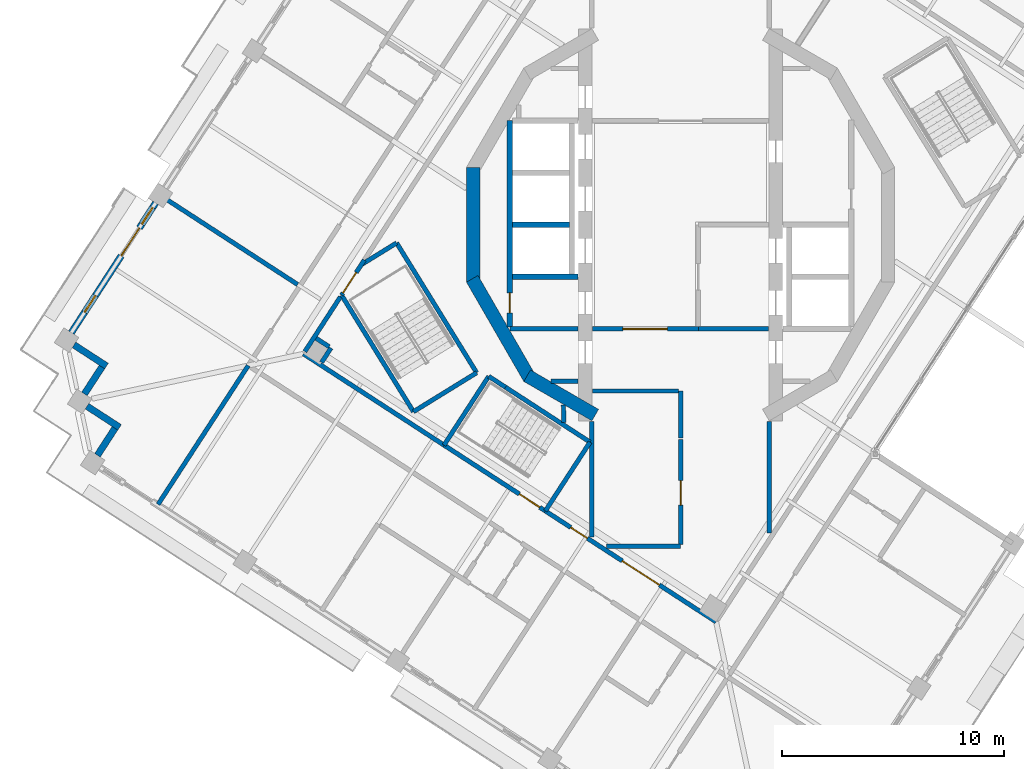
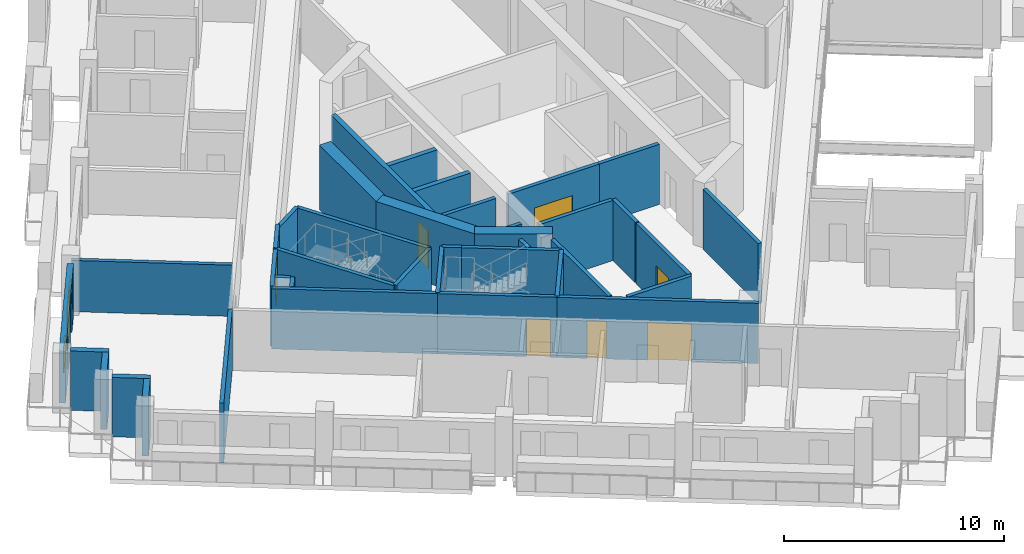
# One storey, part 6 of 17: 39 walls, 8 doors, 2 windows, 10 openings.
"""IFC4 building model written with IfcOpenShell, lengths in metres."""

from ifc_helpers import new_model, si_unit, direction, frame, frame_2d, origin, place, context, subcontext, project, spatial, rectangle, extrude, material, layer, layer_set, type_object, element, fill, save


model = new_model("IFC4")

# Units and contexts
model_context = context("Model", 3, precision=1e-05, world=origin(), true_north=direction((0.0, 1.0)))
body_context = subcontext(model_context, "Body", "Model", "MODEL_VIEW")
ifc_project = project(units=[si_unit("LENGTHUNIT", "METRE"), si_unit("AREAUNIT", "SQUARE_METRE"), si_unit("VOLUMEUNIT", "CUBIC_METRE"), si_unit("PLANEANGLEUNIT", "RADIAN"), si_unit("MASSUNIT", "GRAM", prefix="KILO")], contexts=[model_context])

# Site, building, storey
site_placement = place(None, origin())
site = spatial("IfcSite", under=ifc_project, at=site_placement, CompositionType="ELEMENT")
building_placement = place(site_placement, origin())
building = spatial("IfcBuilding", under=site, at=building_placement, Name="Cantera Rosa Tower", CompositionType="ELEMENT")
storey_placement = place(building_placement, frame((0.0, 0.0, 268.5)))
storey = spatial("IfcBuildingStorey", under=building, at=storey_placement, Name="L60", CompositionType="ELEMENT", Elevation=268.5)

# Walls
ifc_material_1 = material(Name="Gypsum board partition")
ifc_layer_1 = layer(ifc_material_1, 0.199951171875)
ifc_layer_set_1 = layer_set([ifc_layer_1], Name="CORRIDOR WALL 200 H3350")
wall_type_1 = type_object("IfcWallType", Name="CORRIDOR WALL 200 H3350", PredefinedType="PARTITIONING", material=ifc_layer_set_1)
wall_1_placement = place(storey_placement, frame((-17.015869140625, -5.82177734375, 0.0), z_axis=(0.0, 0.0, 1.0), x_axis=(0.838672854678, -0.544635513739, 0.0)))
element("IfcWall", 1, at=wall_1_placement, inside=storey, type_object=wall_type_1, Name="CORRIDOR WALL L60-005", PredefinedType="PARTITIONING", context=body_context, shape_type="SweptSolid", body=[
    extrude(rectangle(XDim=7.56494140625, YDim=0.199951171875, at=frame_2d((3.782470703125, 0.0))), origin(), (0.0, 0.0, 1.0), 3.35009765625),
])
wall_2_placement = place(storey_placement, frame((-15.349853515625, -3.256103515625, 0.0), z_axis=(0.0, 0.0, 1.0), x_axis=(-0.544576607641, -0.838711105453, 0.0)))
element("IfcWall", 2, at=wall_2_placement, inside=storey, type_object=wall_type_1, Name="CORRIDOR WALL L60-009", PredefinedType="PARTITIONING", context=body_context, shape_type="SweptSolid", body=[
    extrude(rectangle(XDim=2.939208984375, YDim=0.199951171875, at=frame_2d((1.4697265625, 0.0))), origin(), (0.0, 0.0, 1.0), 3.35009765625),
])

# Wall, openings, doors
wall_3_placement = place(storey_placement, frame((-6.1005859375, -12.91015625, 0.0), z_axis=(0.0, 0.0, 1.0), x_axis=(0.838671883824, -0.544637008734, 0.0)))
wall_3 = element("IfcWall", 3, at=wall_3_placement, inside=storey, type_object=wall_type_1, Name="CORRIDOR WALL L60-038", PredefinedType="PARTITIONING", context=body_context, shape_type="SweptSolid", body=[
    extrude(rectangle(XDim=9.184814453125, YDim=0.199951171875, at=frame_2d((4.59228515625, 0.0))), origin(), (0.0, 0.0, 1.0), 3.35009765625),
])
opening_1_placement = place(wall_3_placement, frame((1.36572265625, 0.0, 0.0)))
opening_1 = element("IfcOpeningElement", 4, at=opening_1_placement, cuts=wall_3, Name="Opening L60-006", PredefinedType="OPENING", context=body_context, shape_type="SweptSolid", body=[
    extrude(rectangle(XDim=0.89990234375, YDim=2.10009765625, at=frame_2d((0.449951171875, 1.050048828125))), frame((0.0, 0.10986328125, 0.0), z_axis=(0.0, -1.0, 0.0), x_axis=(1.0, 0.0, 0.0)), (0.0, 0.0, 1.0), 0.219970703125),
])
opening_2_placement = place(wall_3_placement, frame((4.135009765625, 0.0, 0.0)))
opening_2 = element("IfcOpeningElement", 5, at=opening_2_placement, cuts=wall_3, Name="Opening L60-010", PredefinedType="OPENING", context=body_context, shape_type="SweptSolid", body=[
    extrude(rectangle(XDim=2.0, YDim=2.10009765625, at=frame_2d((1.0, 1.050048828125))), frame((0.0, 0.10986328125, 0.0), z_axis=(0.0, -1.0, 0.0), x_axis=(1.0, 0.0, 0.0)), (0.0, 0.0, 1.0), 0.219970703125),
])
ifc_material_2 = material(Name="Steel S355J2 (EN 10025-2)", Category="steel")
door_type_1 = type_object("IfcDoorType", Name="LOBBY SCREEN DOOR 2000x2100", OperationType="NOTDEFINED", PredefinedType="DOOR", material=ifc_material_2)
door_1_placement = place(opening_2_placement, origin())
door_1 = element("IfcDoor", 6, at=door_1_placement, inside=storey, type_object=door_type_1, Name="DOOR L60-010", OperationType="NOTDEFINED", OverallHeight=2.10009765625, OverallWidth=2.0, PredefinedType="DOOR", context=body_context, shape_type="SweptSolid", body=[
    extrude(rectangle(XDim=2.0, YDim=2.10009765625, at=frame_2d((1.0, 1.050048828125))), frame((0.0, 0.02490234375, 0.0), z_axis=(0.0, -1.0, 0.0), x_axis=(1.0, 0.0, 0.0)), (0.0, 0.0, 1.0), 0.050048828125),
])
fill(opening_2, door_1)
ifc_material_3 = material(Name="Timber door leaf", Category="wood")
door_type_2 = type_object("IfcDoorType", Name="SERVICE DOOR 900x2100", OperationType="NOTDEFINED", PredefinedType="DOOR", material=ifc_material_3)
door_2_placement = place(opening_1_placement, origin())
door_2 = element("IfcDoor", 7, at=door_2_placement, inside=storey, type_object=door_type_2, Name="DOOR L60-006", OperationType="NOTDEFINED", OverallHeight=2.10009765625, OverallWidth=0.89990234375, PredefinedType="DOOR", context=body_context, shape_type="SweptSolid", body=[
    extrude(rectangle(XDim=0.89990234375, YDim=2.10009765625, at=frame_2d((0.449951171875, 1.050048828125))), frame((0.0, 0.02490234375, 0.0), z_axis=(0.0, -1.0, 0.0), x_axis=(1.0, 0.0, 0.0)), (0.0, 0.0, 1.0), 0.050048828125),
])
fill(opening_1, door_2)

# Wall
wall_4_placement = place(storey_placement, frame((-3.33251953125, -14.5, 0.0), z_axis=(0.0, 0.0, 1.0), x_axis=(1.0, 0.0, 0.0)))
element("IfcWall", 8, at=wall_4_placement, inside=storey, type_object=wall_type_1, Name="CORRIDOR WALL L60-049", PredefinedType="PARTITIONING", context=body_context, shape_type="SweptSolid", body=[
    extrude(rectangle(XDim=3.33251953125, YDim=0.199951171875, at=frame_2d((1.666259765625, 0.0))), origin(), (0.0, 0.0, 1.0), 3.35009765625),
])

# Wall, opening, door
wall_5_placement = place(storey_placement, frame((0.0, -14.419921875, 0.0), z_axis=(0.0, 0.0, 1.0), x_axis=(0.0, 1.0, 0.0)))
wall_5 = element("IfcWall", 9, at=wall_5_placement, inside=storey, type_object=wall_type_1, Name="CORRIDOR WALL L60-057", PredefinedType="PARTITIONING", context=body_context, shape_type="SweptSolid", body=[
    extrude(rectangle(XDim=4.730712890625, YDim=0.199951171875, at=frame_2d((2.365234375, 0.0))), origin(), (0.0, 0.0, 1.0), 3.35009765625),
])
opening_3_placement = place(wall_5_placement, frame((1.775390625, 0.0, 0.0)))
opening_3 = element("IfcOpeningElement", 10, at=opening_3_placement, cuts=wall_5, Name="Opening L60-013", PredefinedType="OPENING", context=body_context, shape_type="SweptSolid", body=[
    extrude(rectangle(XDim=1.10009765625, YDim=2.10009765625, at=frame_2d((0.550048828125, 1.050048828125))), frame((0.0, 0.10986328125, 0.0), z_axis=(0.0, -1.0, 0.0), x_axis=(1.0, 0.0, 0.0)), (0.0, 0.0, 1.0), 0.219970703125),
])
ifc_material_4 = material(Name="Timber door leaf", Category="wood")
door_type_3 = type_object("IfcDoorType", Name="ROOM DOOR 1100x2100", OperationType="NOTDEFINED", PredefinedType="DOOR", material=ifc_material_4)
door_3_placement = place(opening_3_placement, origin())
door_3 = element("IfcDoor", 11, at=door_3_placement, inside=storey, type_object=door_type_3, Name="DOOR L60-013", OperationType="NOTDEFINED", OverallHeight=2.10009765625, OverallWidth=1.10009765625, PredefinedType="DOOR", context=body_context, shape_type="SweptSolid", body=[
    extrude(rectangle(XDim=1.10009765625, YDim=2.10009765625, at=frame_2d((0.550048828125, 1.050048828125))), frame((0.0, 0.02490234375, 0.0), z_axis=(0.0, -1.0, 0.0), x_axis=(1.0, 0.0, 0.0)), (0.0, 0.0, 1.0), 0.050048828125),
])
fill(opening_3, door_3)

# Walls
wall_6_placement = place(storey_placement, frame((0.0, -9.62939453125, 0.0), z_axis=(0.0, 0.0, 1.0), x_axis=(0.0, 1.0, 0.0)))
element("IfcWall", 12, at=wall_6_placement, inside=storey, type_object=wall_type_1, Name="CORRIDOR WALL L60-058", PredefinedType="PARTITIONING", context=body_context, shape_type="SweptSolid", body=[
    extrude(rectangle(XDim=2.12939453125, YDim=0.199951171875, at=frame_2d((1.064697265625, 0.0))), origin(), (0.0, 0.0, 1.0), 3.35009765625),
])
wall_7_placement = place(storey_placement, frame((-0.10009765625, -7.5, 0.0), z_axis=(0.0, 0.0, 1.0), x_axis=(-1.0, 0.0, 0.0)))
element("IfcWall", 13, at=wall_7_placement, inside=storey, type_object=wall_type_1, Name="CORRIDOR WALL L60-059", PredefinedType="PARTITIONING", context=body_context, shape_type="SweptSolid", body=[
    extrude(rectangle(XDim=3.869873046875, YDim=0.199951171875, at=frame_2d((1.93505859375, 0.0))), origin(), (0.0, 0.0, 1.0), 3.35009765625),
])

# Wall, opening, door
wall_8_placement = place(storey_placement, frame((0.800048828125, -4.699951171875, 0.0), z_axis=(0.0, 0.0, 1.0), x_axis=(-1.0, 0.0, 0.0)))
wall_8 = element("IfcWall", 14, at=wall_8_placement, inside=storey, type_object=wall_type_1, Name="CORRIDOR WALL L60-061", PredefinedType="PARTITIONING", context=body_context, shape_type="SweptSolid", body=[
    extrude(rectangle(XDim=4.77001953125, YDim=0.199951171875, at=frame_2d((2.385009765625, 0.0))), origin(), (0.0, 0.0, 1.0), 3.35009765625),
])
opening_4_placement = place(wall_8_placement, frame((1.39990234375, 0.0, 0.0)))
opening_4 = element("IfcOpeningElement", 15, at=opening_4_placement, cuts=wall_8, Name="Opening L60-011", PredefinedType="OPENING", context=body_context, shape_type="SweptSolid", body=[
    extrude(rectangle(XDim=2.0, YDim=2.10009765625, at=frame_2d((1.0, 1.050048828125))), frame((0.0, 0.10986328125, 0.0), z_axis=(0.0, -1.0, 0.0), x_axis=(1.0, 0.0, 0.0)), (0.0, 0.0, 1.0), 0.219970703125),
])
door_4_placement = place(opening_4_placement, origin())
door_4 = element("IfcDoor", 16, at=door_4_placement, inside=storey, type_object=door_type_1, Name="DOOR L60-011", OperationType="NOTDEFINED", OverallHeight=2.10009765625, OverallWidth=2.0, PredefinedType="DOOR", context=body_context, shape_type="SweptSolid", body=[
    extrude(rectangle(XDim=2.0, YDim=2.10009765625, at=frame_2d((1.0, 1.050048828125))), frame((0.0, 0.02490234375, 0.0), z_axis=(0.0, -1.0, 0.0), x_axis=(1.0, 0.0, 0.0)), (0.0, 0.0, 1.0), 0.050048828125),
])
fill(opening_4, door_4)

# Walls
wall_9_placement = place(storey_placement, frame((4.0, -13.90087890625, 0.0), z_axis=(0.0, 0.0, 1.0), x_axis=(0.0, 1.0, 0.0)))
element("IfcWall", 17, at=wall_9_placement, inside=storey, type_object=wall_type_1, Name="CORRIDOR WALL L60-071", PredefinedType="PARTITIONING", context=body_context, shape_type="SweptSolid", body=[
    extrude(rectangle(XDim=5.02197265625, YDim=0.199951171875, at=frame_2d((2.510986328125, 0.0))), origin(), (0.0, 0.0, 1.0), 3.35009765625),
])
ifc_material_5 = material(Name="Hollow clay masonry with cantera stone cladding", Category="masonry")
ifc_layer_2 = layer(ifc_material_5, 0.300048828125)
ifc_layer_set_2 = layer_set([ifc_layer_2], Name="EW-LOGGIA 300")
wall_type_2 = type_object("IfcWallType", Name="EW-LOGGIA 300", PredefinedType="SOLIDWALL", material=ifc_layer_set_2)
wall_10_placement = place(storey_placement, frame((-27.36669921875, -5.41943359375, 0.0), z_axis=(0.0, 0.0, 1.0), x_axis=(0.838685761837, -0.54461563776, 0.0)))
element("IfcWall", 18, at=wall_10_placement, inside=storey, type_object=wall_type_2, Name="EN-L60-W12a", PredefinedType="SOLIDWALL", context=body_context, shape_type="SweptSolid", body=[
    extrude(rectangle(XDim=1.75, YDim=0.300048828125, at=frame_2d((0.875, 0.0))), origin(), (0.0, 0.0, 1.0), 3.300048828125),
])
wall_11_placement = place(storey_placement, frame((-26.1064453125, -6.41650390625, 0.0), z_axis=(0.0, 0.0, 1.0), x_axis=(-0.54467465438, -0.838647435384, 0.0)))
element("IfcWall", 19, at=wall_11_placement, inside=storey, type_object=wall_type_2, Name="EN-L60-W12b", PredefinedType="SOLIDWALL", context=body_context, shape_type="SweptSolid", body=[
    extrude(rectangle(XDim=1.449951171875, YDim=0.300048828125, at=frame_2d((0.72509765625, 0.0))), origin(), (0.0, 0.0, 1.0), 3.300048828125),
])
wall_12_placement = place(storey_placement, frame((-26.778564453125, -8.18603515625, 0.0), z_axis=(0.0, 0.0, 1.0), x_axis=(0.838685761837, -0.54461563776, 0.0)))
element("IfcWall", 20, at=wall_12_placement, inside=storey, type_object=wall_type_2, Name="EN-L60-W13a", PredefinedType="SOLIDWALL", context=body_context, shape_type="SweptSolid", body=[
    extrude(rectangle(XDim=1.75, YDim=0.300048828125, at=frame_2d((0.875, 0.0))), origin(), (0.0, 0.0, 1.0), 3.300048828125),
])
wall_13_placement = place(storey_placement, frame((-25.518310546875, -9.18310546875, 0.0), z_axis=(0.0, 0.0, 1.0), x_axis=(-0.54467465438, -0.838647435384, 0.0)))
element("IfcWall", 21, at=wall_13_placement, inside=storey, type_object=wall_type_2, Name="EN-L60-W13b", PredefinedType="SOLIDWALL", context=body_context, shape_type="SweptSolid", body=[
    extrude(rectangle(XDim=1.449951171875, YDim=0.300048828125, at=frame_2d((0.72509765625, 0.0))), origin(), (0.0, 0.0, 1.0), 3.300048828125),
])

# Wall, openings, windows, door
ifc_material_6 = material(Name="Hollow clay masonry with cantera stone cladding", Category="masonry")
ifc_layer_3 = layer(ifc_material_6, 0.300048828125)
ifc_layer_set_3 = layer_set([ifc_layer_3], Name="EW-LOGGIA 300 H2890")
wall_type_3 = type_object("IfcWallType", Name="EW-LOGGIA 300 H2890", PredefinedType="SOLIDWALL", material=ifc_layer_set_3)
wall_14_placement = place(storey_placement, frame((-23.6826171875, 0.98779296875, 0.0), z_axis=(0.0, 0.0, 1.0), x_axis=(-0.544667428764, -0.838652128146, 0.0)))
wall_14 = element("IfcWall", 22, at=wall_14_placement, inside=storey, type_object=wall_type_3, Name="EN-L60-W11", PredefinedType="SOLIDWALL", context=body_context, shape_type="SweptSolid", body=[
    extrude(rectangle(XDim=6.97998046875, YDim=0.300048828125, at=frame_2d((3.489990234375, 0.0))), origin(), (0.0, 0.0, 1.0), 2.889892578125),
])
opening_5_placement = place(wall_14_placement, frame((0.2451171875, 0.0, 0.89990234375)))
opening_5 = element("IfcOpeningElement", 23, at=opening_5_placement, cuts=wall_14, Name="Opening L60-W25", PredefinedType="OPENING", context=body_context, shape_type="SweptSolid", body=[
    extrude(rectangle(XDim=0.89990234375, YDim=1.5, at=frame_2d((0.449951171875, 0.75))), frame((0.0, 0.159912109375, 0.0), z_axis=(0.0, -1.0, 0.0), x_axis=(1.0, 0.0, 0.0)), (0.0, 0.0, 1.0), 0.320068359375),
])
opening_6_placement = place(wall_14_placement, frame((1.344970703125, 0.0, 0.0)))
opening_6 = element("IfcOpeningElement", 24, at=opening_6_placement, cuts=wall_14, Name="Opening L60-TD26", PredefinedType="OPENING", context=body_context, shape_type="SweptSolid", body=[
    extrude(rectangle(XDim=1.5, YDim=2.39990234375, at=frame_2d((0.75, 1.199951171875))), frame((0.0, 0.159912109375, 0.0), z_axis=(0.0, -1.0, 0.0), x_axis=(1.0, 0.0, 0.0)), (0.0, 0.0, 1.0), 0.320068359375),
])
opening_7_placement = place(wall_14_placement, frame((4.985107421875, 0.0, 0.89990234375)))
opening_7 = element("IfcOpeningElement", 25, at=opening_7_placement, cuts=wall_14, Name="Opening L60-W27", PredefinedType="OPENING", context=body_context, shape_type="SweptSolid", body=[
    extrude(rectangle(XDim=0.89990234375, YDim=1.5, at=frame_2d((0.449951171875, 0.75))), frame((0.0, 0.159912109375, 0.0), z_axis=(0.0, -1.0, 0.0), x_axis=(1.0, 0.0, 0.0)), (0.0, 0.0, 1.0), 0.320068359375),
])
ifc_material_7 = material(Name="Aluminium frame with clear glass", Category="aluminium")
window_type = type_object("IfcWindowType", Name="Residential window 900x1500", PartitioningType="SINGLE_PANEL", PredefinedType="WINDOW", material=ifc_material_7)
window_1_placement = place(opening_5_placement, origin())
window_1 = element("IfcWindow", 26, at=window_1_placement, inside=storey, type_object=window_type, Name="WINDOW L60-W25", OverallHeight=1.5, OverallWidth=0.89990234375, PartitioningType="SINGLE_PANEL", PredefinedType="WINDOW", context=body_context, shape_type="SweptSolid", body=[
    extrude(rectangle(XDim=0.89990234375, YDim=1.5, at=frame_2d((0.449951171875, 0.75))), frame((0.0, 0.030029296875, 0.0), z_axis=(0.0, -1.0, 0.0), x_axis=(1.0, 0.0, 0.0)), (0.0, 0.0, 1.0), 0.06005859375),
])
fill(opening_5, window_1)
window_2_placement = place(opening_7_placement, origin())
window_2 = element("IfcWindow", 27, at=window_2_placement, inside=storey, type_object=window_type, Name="WINDOW L60-W27", OverallHeight=1.5, OverallWidth=0.89990234375, PartitioningType="SINGLE_PANEL", PredefinedType="WINDOW", context=body_context, shape_type="SweptSolid", body=[
    extrude(rectangle(XDim=0.89990234375, YDim=1.5, at=frame_2d((0.449951171875, 0.75))), frame((0.0, 0.030029296875, 0.0), z_axis=(0.0, -1.0, 0.0), x_axis=(1.0, 0.0, 0.0)), (0.0, 0.0, 1.0), 0.06005859375),
])
fill(opening_7, window_2)
ifc_material_8 = material(Name="Aluminium frame with clear glass", Category="aluminium")
door_type_4 = type_object("IfcDoorType", Name="TD-R 1500x2400", OperationType="NOTDEFINED", PredefinedType="DOOR", material=ifc_material_8)
door_5_placement = place(opening_6_placement, origin())
door_5 = element("IfcDoor", 28, at=door_5_placement, inside=storey, type_object=door_type_4, Name="LOGGIA DOOR L60-TD26", OperationType="SLIDING_TO_LEFT", OverallHeight=2.39990234375, OverallWidth=1.5, PredefinedType="DOOR", context=body_context, shape_type="SweptSolid", body=[
    extrude(rectangle(XDim=1.5, YDim=2.39990234375, at=frame_2d((0.75, 1.199951171875))), frame((0.0, 0.02490234375, 0.0), z_axis=(0.0, -1.0, 0.0), x_axis=(1.0, 0.0, 0.0)), (0.0, 0.0, 1.0), 0.050048828125),
])
fill(opening_6, door_5)

# Walls
ifc_material_9 = material(Name="Gypsum board partition")
ifc_layer_4 = layer(ifc_material_9, 0.199951171875)
ifc_layer_set_4 = layer_set([ifc_layer_4], Name="PARTITION 200 H2850")
wall_type_4 = type_object("IfcWallType", Name="PARTITION 200 H2850", PredefinedType="PARTITIONING", material=ifc_layer_set_4)
wall_15_placement = place(storey_placement, frame((-17.275390625, -2.696044921875, 0.0), z_axis=(0.0, 0.0, 1.0), x_axis=(-0.838684106336, 0.544618187155, 0.0)))
element("IfcWall", 29, at=wall_15_placement, inside=storey, type_object=wall_type_4, Name="PARTITION L60-003", PredefinedType="PARTITIONING", context=body_context, shape_type="SweptSolid", body=[
    extrude(rectangle(XDim=7.349853515625, YDim=0.199951171875, at=frame_2d((3.6748046875, 0.0))), origin(), (0.0, 0.0, 1.0), 2.85009765625),
])
ifc_material_10 = material(Name="Gypsum board partition")
ifc_layer_5 = layer(ifc_material_10, 0.199951171875)
ifc_layer_set_5 = layer_set([ifc_layer_5], Name="PARTITION 200 H3350")
wall_type_5 = type_object("IfcWallType", Name="PARTITION 200 H3350", PredefinedType="PARTITIONING", material=ifc_layer_set_5)
wall_16_placement = place(storey_placement, frame((-16.19580078125, -6.211181640625, 0.0), z_axis=(0.0, 0.0, 1.0), x_axis=(0.544691230082, 0.838636669764, 0.0)))
element("IfcWall", 30, at=wall_16_placement, inside=storey, type_object=wall_type_5, Name="PARTITION L60-006", PredefinedType="PARTITIONING", context=body_context, shape_type="SweptSolid", body=[
    extrude(rectangle(XDim=0.77978515625, YDim=0.199951171875, at=frame_2d((0.389892578125, 0.0))), origin(), (0.0, 0.0, 1.0), 3.35009765625),
])
wall_17_placement = place(storey_placement, frame((-15.854736328125, -5.502685546875, 0.0), z_axis=(0.0, 0.0, 1.0), x_axis=(-0.838642734471, 0.544681892409, 0.0)))
element("IfcWall", 31, at=wall_17_placement, inside=storey, type_object=wall_type_5, Name="PARTITION L60-008", PredefinedType="PARTITIONING", context=body_context, shape_type="SweptSolid", body=[
    extrude(rectangle(XDim=0.7001953125, YDim=0.199951171875, at=frame_2d((0.35009765625, 0.0))), origin(), (0.0, 0.0, 1.0), 3.35009765625),
])
wall_18_placement = place(storey_placement, frame((-7.699951171875, -4.699951171875, 0.0), z_axis=(0.0, 0.0, 1.0), x_axis=(1.0, 0.0, 0.0)))
element("IfcWall", 32, at=wall_18_placement, inside=storey, type_object=wall_type_5, Name="PARTITION L60-030", PredefinedType="PARTITIONING", context=body_context, shape_type="SweptSolid", body=[
    extrude(rectangle(XDim=3.070068359375, YDim=0.199951171875, at=frame_2d((1.53515625, 0.0))), origin(), (0.0, 0.0, 1.0), 3.35009765625),
])
wall_19_placement = place(storey_placement, frame((-5.284423828125, -8.13720703125, 0.0), z_axis=(0.0, 0.0, 1.0), x_axis=(0.017568671761, -0.999845658976, 0.0)))
element("IfcWall", 33, at=wall_19_placement, inside=storey, type_object=wall_type_5, Name="PARTITION L60-041", PredefinedType="PARTITIONING", context=body_context, shape_type="SweptSolid", body=[
    extrude(rectangle(XDim=0.778076171875, YDim=0.199951171875, at=frame_2d((0.38916015625, 0.0))), origin(), (0.0, 0.0, 1.0), 3.35009765625),
])
wall_20_placement = place(storey_placement, frame((-4.6298828125, -7.050048828125, 0.0), z_axis=(0.0, 0.0, 1.0), x_axis=(-1.0, 0.0, 0.0)))
element("IfcWall", 34, at=wall_20_placement, inside=storey, type_object=wall_type_5, Name="PARTITION L60-044", PredefinedType="PARTITIONING", context=body_context, shape_type="SweptSolid", body=[
    extrude(rectangle(XDim=1.2177734375, YDim=0.199951171875, at=frame_2d((0.60888671875, 0.0))), origin(), (0.0, 0.0, 1.0), 3.35009765625),
])
wall_21_placement = place(storey_placement, frame((-4.0, -14.09423828125, 0.0), z_axis=(0.0, 0.0, 1.0), x_axis=(0.0, 1.0, 0.0)))
element("IfcWall", 35, at=wall_21_placement, inside=storey, type_object=wall_type_5, Name="PARTITION L60-046", PredefinedType="PARTITIONING", context=body_context, shape_type="SweptSolid", body=[
    extrude(rectangle(XDim=5.21533203125, YDim=0.199951171875, at=frame_2d((2.607666015625, 0.0))), origin(), (0.0, 0.0, 1.0), 3.35009765625),
])
ifc_material_11 = material(Name="Gypsum board partition")
ifc_layer_6 = layer(ifc_material_11, 0.199951171875)
ifc_layer_set_6 = layer_set([ifc_layer_6], Name="PARTY WALL 200 H3350")
wall_type_6 = type_object("IfcWallType", Name="PARTY WALL 200 H3350", PredefinedType="PARTITIONING", material=ifc_layer_set_6)
wall_22_placement = place(storey_placement, frame((-19.505859375, -6.35107421875, 0.0), z_axis=(0.0, 0.0, 1.0), x_axis=(-0.544643659397, -0.838667564818, 0.0)))
element("IfcWall", 36, at=wall_22_placement, inside=storey, type_object=wall_type_6, Name="PARTY WALL L60-001", PredefinedType="PARTITIONING", context=body_context, shape_type="SweptSolid", body=[
    extrude(rectangle(XDim=7.4697265625, YDim=0.199951171875, at=frame_2d((3.73486328125, 0.0))), origin(), (0.0, 0.0, 1.0), 3.35009765625),
])
ifc_material_12 = material(Name="Concrete C50/60", Category="concrete")
ifc_layer_7 = layer(ifc_material_12, 0.60009765625)
ifc_layer_set_7 = layer_set([ifc_layer_7], Name="RC CORE WALL 600 C50/60")
wall_type_7 = type_object("IfcWallType", Name="RC CORE WALL 600 C50/60", PredefinedType="SHEAR", material=ifc_layer_set_7)
wall_23_placement = place(storey_placement, frame((-3.85009765625, -8.584228515625, 0.0), z_axis=(0.0, 0.0, 1.0), x_axis=(-0.866039982607, 0.499974747889, 0.0)))
element("IfcWall", 37, at=wall_23_placement, inside=storey, type_object=wall_type_7, Name="CW-W1 L60", PredefinedType="SHEAR", context=body_context, shape_type="SweptSolid", body=[
    extrude(rectangle(XDim=3.546142578125, YDim=0.60009765625, at=frame_2d((1.77294921875, 0.0))), origin(), (0.0, 0.0, 1.0), 3.60009765625),
])
for number, where, z_axis, x_axis, name in (
    (38, (-6.811279296875, -6.921142578125, 0.0), (0.0, 0.0, 1.0), (-0.499989188378, 0.866031645787, 0.0), "CW-W2 L60"),
    (39, (-9.359375, -2.588134765625, 0.0), (0.0, 0.0, 1.0), (0.0, 1.0, 0.0), "CW-W3 L60"),
):
    element("IfcWall", number, at=place(storey_placement, frame(where, z_axis=z_axis, x_axis=x_axis)), inside=storey, type_object=wall_type_7, Name=name, PredefinedType="SHEAR", context=body_context, shape_type="SweptSolid", body=[
        extrude(rectangle(XDim=5.17626953125, YDim=0.60009765625, at=frame_2d((2.588134765625, 0.0))), origin(), (0.0, 0.0, 1.0), 3.60009765625),
    ])
ifc_material_13 = material(Name="Masonry blockwork", Category="masonry")
ifc_layer_8 = layer(ifc_material_13, 0.25)
ifc_layer_set_8 = layer_set([ifc_layer_8], Name="SHAFT WALL 250 H3350")
wall_type_8 = type_object("IfcWallType", Name="SHAFT WALL 250 H3350", PredefinedType="SOLIDWALL", material=ifc_layer_set_8)
wall_24_placement = place(storey_placement, frame((-7.574951171875, 0.0, 0.0), z_axis=(0.0, 0.0, 1.0), x_axis=(1.0, 0.0, 0.0)))
element("IfcWall", 40, at=wall_24_placement, inside=storey, type_object=wall_type_8, Name="SHAFT WALL L60-031", PredefinedType="SOLIDWALL", context=body_context, shape_type="SweptSolid", body=[
    extrude(rectangle(XDim=2.554931640625, YDim=0.25, at=frame_2d((1.27734375, 0.0))), origin(), (0.0, 0.0, 1.0), 3.35009765625),
])

# Wall, opening, door
wall_25_placement = place(storey_placement, frame((-7.699951171875, 4.699951171875, 0.0), z_axis=(0.0, 0.0, 1.0), x_axis=(0.0, -1.0, 0.0)))
wall_25 = element("IfcWall", 41, at=wall_25_placement, inside=storey, type_object=wall_type_8, Name="SHAFT WALL L60-033", PredefinedType="SOLIDWALL", context=body_context, shape_type="SweptSolid", body=[
    extrude(rectangle(XDim=9.320068359375, YDim=0.25, at=frame_2d((4.66015625, 0.0))), origin(), (0.0, 0.0, 1.0), 3.35009765625),
])
opening_8_placement = place(wall_25_placement, frame((7.7705078125, 0.0, 0.0)))
opening_8 = element("IfcOpeningElement", 42, at=opening_8_placement, cuts=wall_25, Name="Opening L60-049", PredefinedType="OPENING", context=body_context, shape_type="SweptSolid", body=[
    extrude(rectangle(XDim=0.89990234375, YDim=2.10009765625, at=frame_2d((0.449951171875, 1.050048828125))), frame((0.0, 0.135009765625, 0.0), z_axis=(0.0, -1.0, 0.0), x_axis=(1.0, 0.0, 0.0)), (0.0, 0.0, 1.0), 0.27001953125),
])
door_6_placement = place(opening_8_placement, origin())
door_6 = element("IfcDoor", 43, at=door_6_placement, inside=storey, type_object=door_type_2, Name="RISER DOOR L60-049", OperationType="NOTDEFINED", OverallHeight=2.10009765625, OverallWidth=0.89990234375, PredefinedType="DOOR", context=body_context, shape_type="SweptSolid", body=[
    extrude(rectangle(XDim=0.89990234375, YDim=2.10009765625, at=frame_2d((0.449951171875, 1.050048828125))), frame((0.0, 0.02490234375, 0.0), z_axis=(0.0, -1.0, 0.0), x_axis=(1.0, 0.0, 0.0)), (0.0, 0.0, 1.0), 0.050048828125),
])
fill(opening_8, door_6)

# Walls
wall_26_placement = place(storey_placement, frame((-4.6298828125, -2.35009765625, 0.0), z_axis=(0.0, 0.0, 1.0), x_axis=(-1.0, 0.0, 0.0)))
element("IfcWall", 44, at=wall_26_placement, inside=storey, type_object=wall_type_8, Name="SHAFT WALL L60-045", PredefinedType="SOLIDWALL", context=body_context, shape_type="SweptSolid", body=[
    extrude(rectangle(XDim=2.945068359375, YDim=0.25, at=frame_2d((1.47265625, 0.0))), origin(), (0.0, 0.0, 1.0), 3.35009765625),
])
ifc_material_14 = material(Name="Concrete C50/60", Category="concrete")
ifc_layer_9 = layer(ifc_material_14, 0.199951171875)
ifc_layer_set_9 = layer_set([ifc_layer_9], Name="STAIR WALL 200 H3350")
wall_type_9 = type_object("IfcWallType", Name="STAIR WALL 200 H3350", PredefinedType="SOLIDWALL", material=ifc_layer_set_9)
wall_27_placement = place(storey_placement, frame((-15.29541015625, -3.17236328125, 0.0), z_axis=(0.0, 0.0, 1.0), x_axis=(0.524983142341, -0.851112624896, 0.0)))
element("IfcWall", 45, at=wall_27_placement, inside=storey, type_object=wall_type_9, Name="STAIR WALL L60-010", PredefinedType="SOLIDWALL", context=body_context, shape_type="SweptSolid", body=[
    extrude(rectangle(XDim=6.180419921875, YDim=0.199951171875, at=frame_2d((3.09033203125, 0.0))), origin(), (0.0, 0.0, 1.0), 3.35009765625),
])

# Wall, opening, door
wall_28_placement = place(storey_placement, frame((-14.268310546875, -1.5908203125, 0.0), z_axis=(0.0, 0.0, 1.0), x_axis=(-0.544651565877, -0.838662430176, 0.0)))
wall_28 = element("IfcWall", 46, at=wall_28_placement, inside=storey, type_object=wall_type_9, Name="STAIR WALL L60-013", PredefinedType="SOLIDWALL", context=body_context, shape_type="SweptSolid", body=[
    extrude(rectangle(XDim=1.8857421875, YDim=0.199951171875, at=frame_2d((0.94287109375, 0.0))), origin(), (0.0, 0.0, 1.0), 3.35009765625),
])
opening_9_placement = place(wall_28_placement, frame((0.6689453125, 0.0, 0.0)))
opening_9 = element("IfcOpeningElement", 47, at=opening_9_placement, cuts=wall_28, Name="Opening L60-002", PredefinedType="OPENING", context=body_context, shape_type="SweptSolid", body=[
    extrude(rectangle(XDim=1.10009765625, YDim=2.10009765625, at=frame_2d((0.550048828125, 1.050048828125))), frame((0.0, 0.10986328125, 0.0), z_axis=(0.0, -1.0, 0.0), x_axis=(1.0, 0.0, 0.0)), (0.0, 0.0, 1.0), 0.219970703125),
])
ifc_material_15 = material(Name="Steel S355J2 (EN 10025-2)", Category="steel")
door_type_5 = type_object("IfcDoorType", Name="STAIR DOOR 1100x2100", OperationType="NOTDEFINED", PredefinedType="DOOR", material=ifc_material_15)
door_7_placement = place(opening_9_placement, origin())
door_7 = element("IfcDoor", 48, at=door_7_placement, inside=storey, type_object=door_type_5, Name="DOOR L60-002", OperationType="NOTDEFINED", OverallHeight=2.10009765625, OverallWidth=1.10009765625, PredefinedType="DOOR", context=body_context, shape_type="SweptSolid", body=[
    extrude(rectangle(XDim=1.10009765625, YDim=2.10009765625, at=frame_2d((0.550048828125, 1.050048828125))), frame((0.0, 0.02490234375, 0.0), z_axis=(0.0, -1.0, 0.0), x_axis=(1.0, 0.0, 0.0)), (0.0, 0.0, 1.0), 0.050048828125),
])
fill(opening_9, door_7)

# Walls
wall_29_placement = place(storey_placement, frame((-12.811279296875, -0.818359375, 0.0), z_axis=(0.0, 0.0, 1.0), x_axis=(-0.851125244186, -0.524962683158, 0.0)))
element("IfcWall", 49, at=wall_29_placement, inside=storey, type_object=wall_type_9, Name="STAIR WALL L60-019", PredefinedType="SOLIDWALL", context=body_context, shape_type="SweptSolid", body=[
    extrude(rectangle(XDim=1.872802734375, YDim=0.199951171875, at=frame_2d((0.9365234375, 0.0))), origin(), (0.0, 0.0, 1.0), 3.35009765625),
])
wall_30_placement = place(storey_placement, frame((-12.05078125, -8.4326171875, 0.0), z_axis=(0.0, 0.0, 1.0), x_axis=(0.85113993661, 0.524938861495, 0.0)))
element("IfcWall", 50, at=wall_30_placement, inside=storey, type_object=wall_type_9, Name="STAIR WALL L60-021", PredefinedType="SOLIDWALL", context=body_context, shape_type="SweptSolid", body=[
    extrude(rectangle(XDim=3.35009765625, YDim=0.199951171875, at=frame_2d((1.675048828125, 0.0))), origin(), (0.0, 0.0, 1.0), 3.35009765625),
])

# Wall, opening, door
wall_31_placement = place(storey_placement, frame((-10.67138671875, -9.94189453125, 0.0), z_axis=(0.0, 0.0, 1.0), x_axis=(0.838674843592, -0.544632451041, 0.0)))
wall_31 = element("IfcWall", 51, at=wall_31_placement, inside=storey, type_object=wall_type_9, Name="STAIR WALL L60-023", PredefinedType="SOLIDWALL", context=body_context, shape_type="SweptSolid", body=[
    extrude(rectangle(XDim=5.449951171875, YDim=0.199951171875, at=frame_2d((2.72509765625, 0.0))), origin(), (0.0, 0.0, 1.0), 3.35009765625),
])
opening_10_placement = place(wall_31_placement, frame((4.050048828125, 0.0, 0.0)))
opening_10 = element("IfcOpeningElement", 52, at=opening_10_placement, cuts=wall_31, Name="Opening L60-003", PredefinedType="OPENING", context=body_context, shape_type="SweptSolid", body=[
    extrude(rectangle(XDim=1.10009765625, YDim=2.10009765625, at=frame_2d((0.550048828125, 1.050048828125))), frame((0.0, 0.10986328125, 0.0), z_axis=(0.0, -1.0, 0.0), x_axis=(1.0, 0.0, 0.0)), (0.0, 0.0, 1.0), 0.219970703125),
])
door_8_placement = place(opening_10_placement, origin())
door_8 = element("IfcDoor", 53, at=door_8_placement, inside=storey, type_object=door_type_5, Name="DOOR L60-003", OperationType="NOTDEFINED", OverallHeight=2.10009765625, OverallWidth=1.10009765625, PredefinedType="DOOR", context=body_context, shape_type="SweptSolid", body=[
    extrude(rectangle(XDim=1.10009765625, YDim=2.10009765625, at=frame_2d((0.550048828125, 1.050048828125))), frame((0.0, 0.02490234375, 0.0), z_axis=(0.0, -1.0, 0.0), x_axis=(1.0, 0.0, 0.0)), (0.0, 0.0, 1.0), 0.050048828125),
])
fill(opening_10, door_8)

# Walls
wall_32_placement = place(storey_placement, frame((-9.199462890625, -6.674072265625, 0.0), z_axis=(0.0, 0.0, 1.0), x_axis=(-0.524972254536, 0.851119340614, 0.0)))
element("IfcWall", 54, at=wall_32_placement, inside=storey, type_object=wall_type_9, Name="STAIR WALL L60-025", PredefinedType="SOLIDWALL", context=body_context, shape_type="SweptSolid", body=[
    extrude(rectangle(XDim=6.880126953125, YDim=0.199951171875, at=frame_2d((3.43994140625, 0.0))), origin(), (0.0, 0.0, 1.0), 3.35009765625),
])
wall_33_placement = place(storey_placement, frame((-8.65478515625, -6.8369140625, 0.0), z_axis=(0.0, 0.0, 1.0), x_axis=(-0.544677727046, -0.838645439778, 0.0)))
element("IfcWall", 55, at=wall_33_placement, inside=storey, type_object=wall_type_9, Name="STAIR WALL L60-027", PredefinedType="SOLIDWALL", context=body_context, shape_type="SweptSolid", body=[
    extrude(rectangle(XDim=3.702392578125, YDim=0.199951171875, at=frame_2d((1.85107421875, 0.0))), origin(), (0.0, 0.0, 1.0), 3.35009765625),
])
wall_34_placement = place(storey_placement, frame((-8.65478515625, -6.8369140625, 0.0), z_axis=(0.0, 0.0, 1.0), x_axis=(0.838666637781, -0.54464508689, 0.0)))
element("IfcWall", 56, at=wall_34_placement, inside=storey, type_object=wall_type_9, Name="STAIR WALL L60-028", PredefinedType="SOLIDWALL", context=body_context, shape_type="SweptSolid", body=[
    extrude(rectangle(XDim=0.900146484375, YDim=0.199951171875, at=frame_2d((0.4501953125, 0.0))), origin(), (0.0, 0.0, 1.0), 3.35009765625),
])
wall_35_placement = place(storey_placement, frame((-6.1005859375, -12.91015625, 0.0), z_axis=(0.0, 0.0, 1.0), x_axis=(0.544677727046, 0.838645439778, 0.0)))
element("IfcWall", 57, at=wall_35_placement, inside=storey, type_object=wall_type_9, Name="STAIR WALL L60-037", PredefinedType="SOLIDWALL", context=body_context, shape_type="SweptSolid", body=[
    extrude(rectangle(XDim=3.702392578125, YDim=0.199951171875, at=frame_2d((1.85107421875, 0.0))), origin(), (0.0, 0.0, 1.0), 3.35009765625),
])
wall_36_placement = place(storey_placement, frame((3.969970703125, -4.699951171875, 0.0), z_axis=(0.0, 0.0, 1.0), x_axis=(-1.0, 0.0, 0.0)))
element("IfcWall", 58, at=wall_36_placement, inside=storey, type_object=wall_type_9, Name="STAIR WALL L60-070", PredefinedType="SOLIDWALL", context=body_context, shape_type="SweptSolid", body=[
    extrude(rectangle(XDim=3.169921875, YDim=0.199951171875, at=frame_2d((1.5849609375, 0.0))), origin(), (0.0, 0.0, 1.0), 3.35009765625),
])
wall_37_placement = place(storey_placement, frame((-7.89990234375, -7.3271484375, 0.0), z_axis=(0.0, 0.0, 1.0), x_axis=(0.8386764669, -0.544629951314, 0.0)))
element("IfcWall", 59, at=wall_37_placement, inside=storey, type_object=wall_type_9, Name="STAIR WALL L60-028 J", PredefinedType="SOLIDWALL", context=body_context, shape_type="SweptSolid", body=[
    extrude(rectangle(XDim=4.550048828125, YDim=0.199951171875, at=frame_2d((2.27490234375, 0.0))), origin(), (0.0, 0.0, 1.0), 3.35009765625),
])

save(model, "model.ifc")
